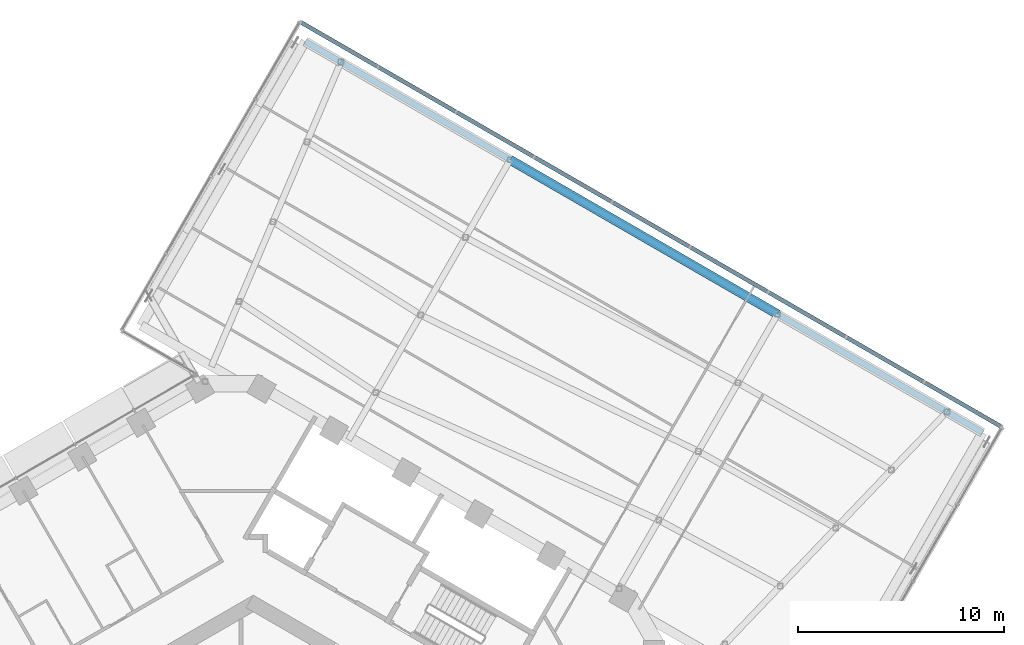
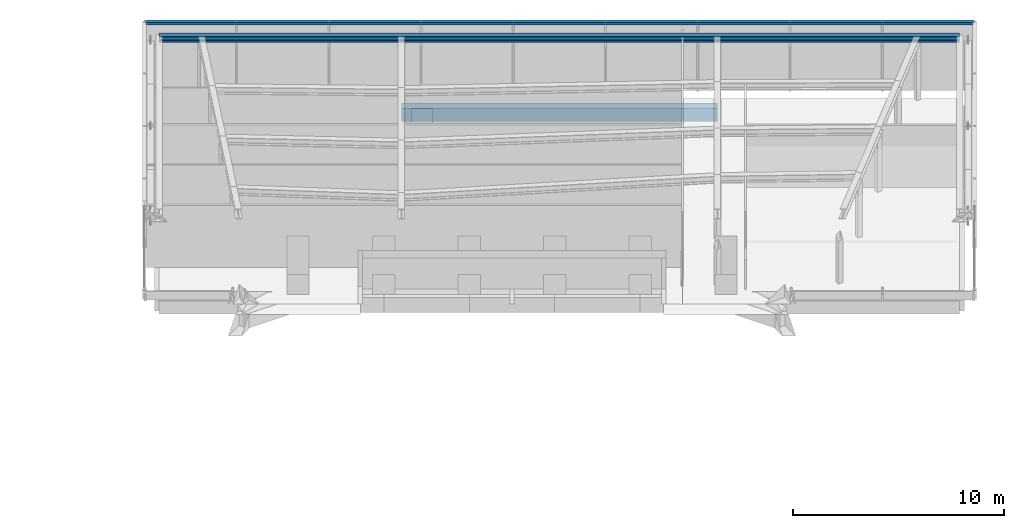
# One storey, part 8 of 28: 2 beams, 1 member, 1 element without a shape of its own.
"""IFC4 building model written with IfcOpenShell, lengths in metres."""

from ifc_helpers import new_model, si_unit, direction, frame, origin, origin_2d, place, context, subcontext, project, spatial, rectangle, i_section, extrude, material, layer, layer_set, material_profile, profile_set, type_object, element, aggregate, save


model = new_model("IFC4")

# Units and contexts
model_context = context("Model", 3, precision=1e-05, world=origin(), true_north=direction((0.0, 1.0)))
body_context = subcontext(model_context, "Body", "Model", "MODEL_VIEW")
ifc_project = project(units=[si_unit("LENGTHUNIT", "METRE"), si_unit("AREAUNIT", "SQUARE_METRE"), si_unit("VOLUMEUNIT", "CUBIC_METRE"), si_unit("PLANEANGLEUNIT", "RADIAN"), si_unit("MASSUNIT", "GRAM", prefix="KILO")], contexts=[model_context])

# Site, building, storey
site_placement = place(None, origin())
site = spatial("IfcSite", under=ifc_project, at=site_placement, CompositionType="ELEMENT")
building_placement = place(site_placement, origin())
building = spatial("IfcBuilding", under=site, at=building_placement, Name="Ayvan Gate Tower", CompositionType="ELEMENT")
storey_placement = place(building_placement, frame((0.0, 0.0, 143.89990234375)))
storey = spatial("IfcBuildingStorey", under=building, at=storey_placement, Name="L38", CompositionType="ELEMENT", Elevation=143.89990234375)

# Beams
ifc_material_1 = material(Name="Concrete C40/50", Category="concrete")
ifc_material_profile_1 = material_profile(ifc_material_1, rectangle(XDim=0.449951171875, YDim=0.75, at=origin_2d()), Name="RC 450x750")
ifc_profile_set_1 = profile_set([ifc_material_profile_1], Name="Concrete C40/50")
beam_type_1 = type_object("IfcBeamType", Name="Sky bar edge beam RC 450x750 C40/50", PredefinedType="BEAM", material=ifc_profile_set_1)
beam_1_placement = place(storey_placement, frame((12.4853515625, 32.125244140625, -0.77490234375), z_axis=(0.866027028085, -0.499997186618, 0.0), x_axis=(0.499997186618, 0.866027028085, 0.0)))
element("IfcBeam", 1, at=beam_1_placement, inside=storey, type_object=beam_type_1, Name="EB-B3-L38-5", PredefinedType="BEAM", context=body_context, shape_type="SweptSolid", body=[
    extrude(rectangle(XDim=0.449951171875, YDim=0.75, at=origin_2d()), origin(), (0.0, 0.0, 1.0), 15.0),
])
ifc_material_2 = material(Name="Steel S460ML", Category="steel")
ifc_material_profile_2 = material_profile(ifc_material_2, i_section(OverallWidth=0.300048828125, OverallDepth=0.340087890625, WebThickness=0.011962890625, FlangeThickness=0.021484375, FilletRadius=0.027099609375, at=origin_2d()), Name="HE 340 B")
ifc_profile_set_2 = profile_set([ifc_material_profile_2], Name="Steel S460ML")
beam_type_2 = type_object("IfcBeamType", Name="Sky bar roof edge beam B3 HE 340 B", PredefinedType="BEAM", material=ifc_profile_set_2)
beam_2_placement = place(storey_placement, frame((2.526123046875, 37.875244140625, 3.530029296875), z_axis=(0.866025207752, -0.500000339538, 0.0), x_axis=(0.500000339538, 0.866025207752, 0.0)))
element("IfcBeam", 2, at=beam_2_placement, inside=storey, type_object=beam_type_2, Name="RE-B3-1-3", PredefinedType="BEAM", context=body_context, shape_type="SweptSolid", body=[
    extrude(i_section(OverallWidth=0.300048828125, OverallDepth=0.340087890625, WebThickness=0.011962890625, FlangeThickness=0.021484375, FilletRadius=0.027099609375, at=origin_2d()), origin(), (0.0, 0.0, 1.0), 38.0),
])

# Curtain wall, member
ifc_material_3 = material(Name="Bronze anodised aluminium", Category="aluminium")
ifc_layer = layer(ifc_material_3, 0.199951171875)
ifc_layer_set = layer_set([ifc_layer], Name="Bronze anodised aluminium")
curtain_wall_type = type_object("IfcCurtainWallType", Name="Stick curtain wall CW-4", PredefinedType="NOTDEFINED", material=ifc_layer_set)
curtain_wall_placement = place(storey_placement, origin())
curtain_wall = element("IfcCurtainWall", 3, at=curtain_wall_placement, inside=storey, type_object=curtain_wall_type, Name="Stick curtain wall CW-4 L38", PredefinedType="NOTDEFINED")
ifc_material_profile_3 = material_profile(ifc_material_3, rectangle(XDim=0.199951171875, YDim=0.139892578125, at=origin_2d()), Name="Stick curtain wall CW-4 transom 200 x 140")
ifc_profile_set_3 = profile_set([ifc_material_profile_3], Name="Bronze anodised aluminium")
member_type = type_object("IfcMemberType", Name="Stick curtain wall CW-4 transom 200 x 140", PredefinedType="USERDEFINED", material=ifc_profile_set_3)
member_placement = place(storey_placement, frame((36.356689453125, 19.1513671875, 3.93017578125), z_axis=(-0.866024491936, 0.500001579365, 0.0), x_axis=(-0.500001579365, -0.866024491936, 0.0)))
member = element("IfcMember", 4, at=member_placement, type_object=member_type, Name="CW-4 transom 1", ObjectType="TRANSOM", PredefinedType="USERDEFINED", context=body_context, shape_type="SweptSolid", body=[
    extrude(rectangle(XDim=0.199951171875, YDim=0.139892578125, at=origin_2d()), origin(), (0.0, 0.0, 1.0), 39.320068359375),
])
aggregate(curtain_wall, [member])

save(model, "model.ifc")
